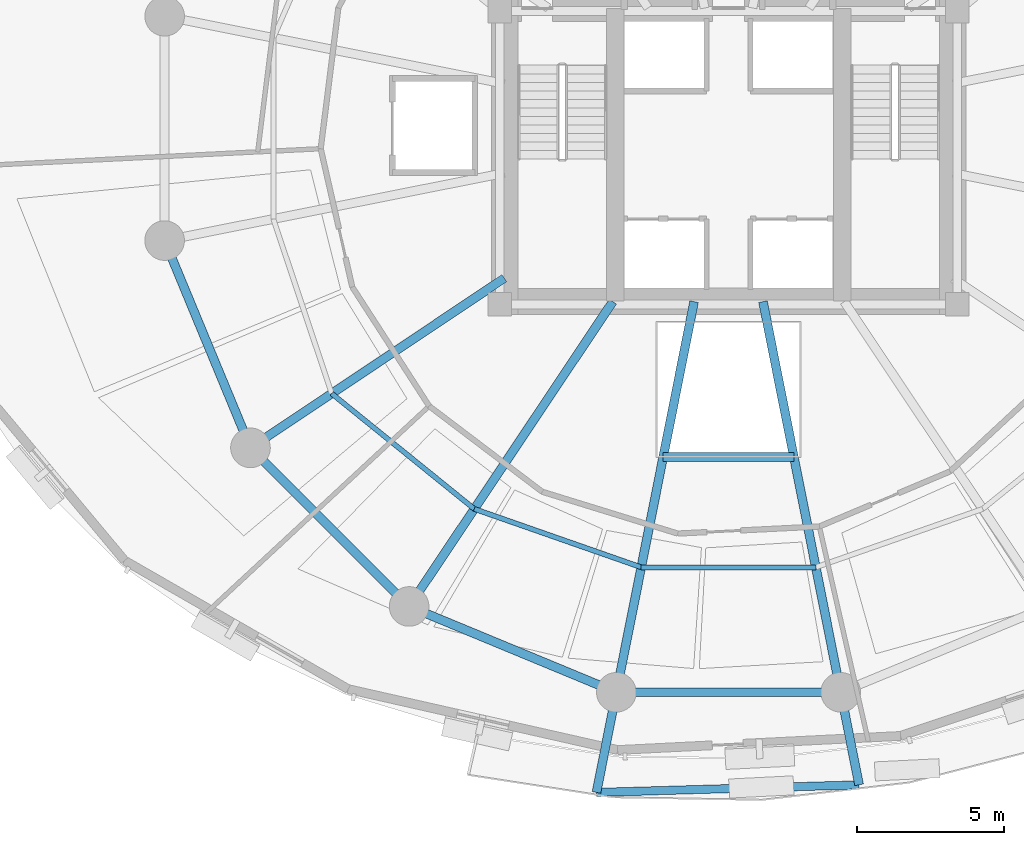
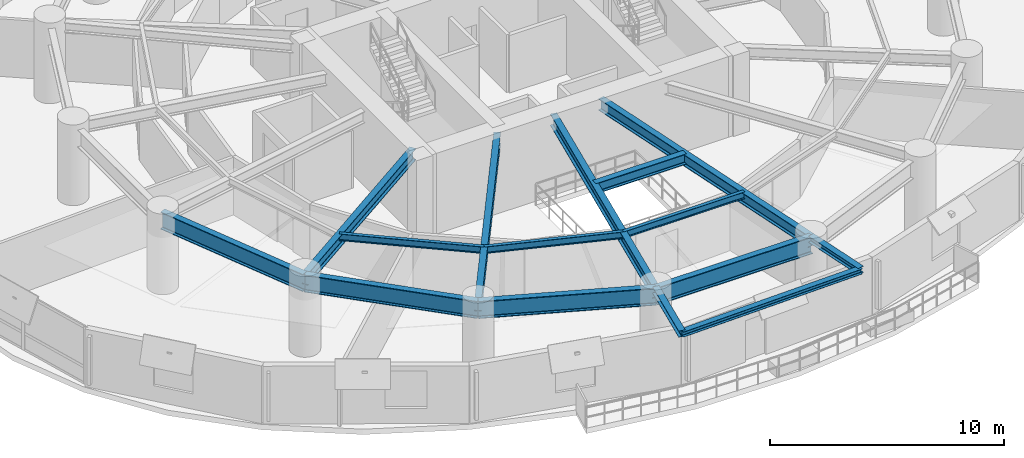
# One storey, part 3 of 16: 15 beams.
"""IFC4 building model written with IfcOpenShell, lengths in metres."""

from ifc_helpers import new_model, si_unit, direction, frame, origin, origin_2d, place, context, subcontext, project, spatial, i_section, extrude, material, material_profile, profile_set, type_object, element, save


model = new_model("IFC4")

# Units and contexts
model_context = context("Model", 3, precision=1e-05, world=origin(), true_north=direction((0.0, 1.0)))
body_context = subcontext(model_context, "Body", "Model", "MODEL_VIEW")
ifc_project = project(units=[si_unit("LENGTHUNIT", "METRE"), si_unit("AREAUNIT", "SQUARE_METRE"), si_unit("VOLUMEUNIT", "CUBIC_METRE"), si_unit("PLANEANGLEUNIT", "RADIAN"), si_unit("MASSUNIT", "GRAM", prefix="KILO"), si_unit("THERMODYNAMICTEMPERATUREUNIT", "KELVIN"), si_unit("POWERUNIT", "WATT")], contexts=[model_context])

# Site, building, storey
site_placement = place(None, origin())
site = spatial("IfcSite", under=ifc_project, at=site_placement, CompositionType="ELEMENT")
building_placement = place(site_placement, origin())
building = spatial("IfcBuilding", under=site, at=building_placement, Name="Ocrelia Relay Tower", CompositionType="ELEMENT")
storey_placement = place(building_placement, frame((0.0, 0.0, 42.60009765625)))
storey = spatial("IfcBuildingStorey", under=building, at=storey_placement, Name="L09", CompositionType="ELEMENT", Elevation=42.60009765625)

# Beams
ifc_material = material(Name="Steel S355", Category="steel")
ifc_material_profile_1 = material_profile(ifc_material, i_section(OverallWidth=0.280029296875, OverallDepth=0.27001953125, WebThickness=0.008056640625, FlangeThickness=0.012939453125, FilletRadius=0.02392578125, at=origin_2d()), Name="HEA 280")
ifc_profile_set_1 = profile_set([ifc_material_profile_1], Name="Steel S355")
beam_type_1 = type_object("IfcBeamType", Name="BM-HEA280", PredefinedType="BEAM", material=ifc_profile_set_1)
beam_1_placement = place(storey_placement, frame((29.497314453125, 3.36328125, 3.784912109375), z_axis=(0.999584964148, 0.028807975436, 0.0), x_axis=(-0.028807975436, 0.999584964148, 0.0)))
element("IfcBeam", 1, at=beam_1_placement, inside=storey, type_object=beam_type_1, Name="L10 Balcony Edge Trimmer Beam B2", PredefinedType="BEAM", context=body_context, shape_type="SweptSolid", body=[
    extrude(i_section(OverallWidth=0.280029296875, OverallDepth=0.27001953125, WebThickness=0.008056640625, FlangeThickness=0.012939453125, FilletRadius=0.02392578125, at=origin_2d()), origin(), (0.0, 0.0, 1.0), 8.957763671875),
])
ifc_material_profile_2 = material_profile(ifc_material, i_section(OverallWidth=0.300048828125, OverallDepth=0.330078125, WebThickness=0.009521484375, FlangeThickness=0.0166015625, FilletRadius=0.027099609375, at=origin_2d()), Name="HEA 340")
ifc_profile_set_2 = profile_set([ifc_material_profile_2], Name="Steel S355")
beam_type_2 = type_object("IfcBeamType", Name="BM-HEA340", PredefinedType="BEAM", material=ifc_profile_set_2)
beam_2_placement = place(storey_placement, frame((30.17626953125, 6.776611328125, 3.7548828125), z_axis=(-0.195090739838, -0.980785197293, 0.0), x_axis=(0.980785197293, -0.195090739838, 0.0)))
element("IfcBeam", 2, at=beam_2_placement, inside=storey, type_object=beam_type_2, Name="L10 Balcony Cantilever Beam B2-1", PredefinedType="BEAM", context=body_context, shape_type="SweptSolid", body=[
    extrude(i_section(OverallWidth=0.300048828125, OverallDepth=0.330078125, WebThickness=0.009521484375, FlangeThickness=0.0166015625, FilletRadius=0.027099609375, at=origin_2d()), origin(), (0.0, 0.0, 1.0), 3.480224609375),
])
beam_3_placement = place(storey_placement, frame((37.82373046875, 6.776611328125, 3.7548828125), z_axis=(0.195109051167, -0.980781554758, 0.0), x_axis=(0.980781554758, 0.195109051167, 0.0)))
element("IfcBeam", 3, at=beam_3_placement, inside=storey, type_object=beam_type_2, Name="L10 Balcony Cantilever Beam B2-2", PredefinedType="BEAM", context=body_context, shape_type="SweptSolid", body=[
    extrude(i_section(OverallWidth=0.300048828125, OverallDepth=0.330078125, WebThickness=0.009521484375, FlangeThickness=0.0166015625, FilletRadius=0.027099609375, at=origin_2d()), origin(), (0.0, 0.0, 1.0), 3.217041015625),
])
ifc_material_profile_3 = material_profile(ifc_material, i_section(OverallWidth=0.300048828125, OverallDepth=0.550048828125, WebThickness=0.014892578125, FlangeThickness=0.029052734375, FilletRadius=0.027099609375, at=origin_2d()), Name="HEB 550")
ifc_profile_set_3 = profile_set([ifc_material_profile_3], Name="Steel S355")
beam_type_3 = type_object("IfcBeamType", Name="BM-HEB550", PredefinedType="BEAM", material=ifc_profile_set_3)
beam_4_placement = place(storey_placement, frame((31.772216796875, 14.800048828125, 3.64501953125), z_axis=(1.0, 0.0, 0.0), x_axis=(0.0, 1.0, 0.0)))
element("IfcBeam", 4, at=beam_4_placement, inside=storey, type_object=beam_type_3, Name="L09 Atrium South Trimmer Beam", PredefinedType="BEAM", context=body_context, shape_type="SweptSolid", body=[
    extrude(i_section(OverallWidth=0.300048828125, OverallDepth=0.550048828125, WebThickness=0.014892578125, FlangeThickness=0.029052734375, FilletRadius=0.027099609375, at=origin_2d()), origin(), (0.0, 0.0, 1.0), 4.45556640625),
])
ifc_material_profile_4 = material_profile(ifc_material, i_section(OverallWidth=0.300048828125, OverallDepth=0.60009765625, WebThickness=0.015380859375, FlangeThickness=0.030029296875, FilletRadius=0.027099609375, at=origin_2d()), Name="HEB 600")
ifc_profile_set_4 = profile_set([ifc_material_profile_4], Name="Steel S355")
beam_type_4 = type_object("IfcBeamType", Name="BM-HEB600", PredefinedType="BEAM", material=ifc_profile_set_4)
beam_5_placement = place(storey_placement, frame((17.703125, 15.11083984375, 3.619873046875), z_axis=(0.83146868639, 0.555571618743, 0.0), x_axis=(-0.555571618743, 0.83146868639, 0.0)))
element("IfcBeam", 5, at=beam_5_placement, inside=storey, type_object=beam_type_4, Name="L09 Radial Floor Girder R10", PredefinedType="BEAM", context=body_context, shape_type="SweptSolid", body=[
    extrude(i_section(OverallWidth=0.300048828125, OverallDepth=0.60009765625, WebThickness=0.015380859375, FlangeThickness=0.030029296875, FilletRadius=0.027099609375, at=origin_2d()), origin(), (0.0, 0.0, 1.0), 10.405517578125),
])
beam_6_placement = place(storey_placement, frame((23.11083984375, 9.703125, 3.619873046875), z_axis=(0.555569912646, 0.831469826369, 0.0), x_axis=(-0.831469826369, 0.555569912646, 0.0)))
element("IfcBeam", 6, at=beam_6_placement, inside=storey, type_object=beam_type_4, Name="L09 Radial Floor Girder R11", PredefinedType="BEAM", context=body_context, shape_type="SweptSolid", body=[
    extrude(i_section(OverallWidth=0.300048828125, OverallDepth=0.60009765625, WebThickness=0.015380859375, FlangeThickness=0.030029296875, FilletRadius=0.027099609375, at=origin_2d()), origin(), (0.0, 0.0, 1.0), 12.498046875),
])
for number, where, z_axis, x_axis, name in (
    (7, (30.17626953125, 6.776611328125, 3.619873046875), (0.195089155229, 0.980785512491, 0.0), (-0.980785512491, 0.195089155229, 0.0), "L09 Radial Floor Girder R12"),
    (8, (37.82373046875, 6.776611328125, 3.619873046875), (-0.195089155229, 0.980785512491, 0.0), (-0.980785512491, -0.195089155229, 0.0), "L09 Radial Floor Girder R13"),
):
    element("IfcBeam", number, at=place(storey_placement, frame(where, z_axis=z_axis, x_axis=x_axis)), inside=storey, type_object=beam_type_4, Name=name, PredefinedType="BEAM", context=body_context, shape_type="SweptSolid", body=[
        extrude(i_section(OverallWidth=0.300048828125, OverallDepth=0.60009765625, WebThickness=0.015380859375, FlangeThickness=0.030029296875, FilletRadius=0.027099609375, at=origin_2d()), origin(), (0.0, 0.0, 1.0), 13.579345703125),
    ])
ifc_material_profile_5 = material_profile(ifc_material, i_section(OverallWidth=0.300048828125, OverallDepth=0.89990234375, WebThickness=0.0185546875, FlangeThickness=0.034912109375, FilletRadius=0.030029296875, at=origin_2d()), Name="HEB 900")
ifc_profile_set_5 = profile_set([ifc_material_profile_5], Name="Steel S355")
beam_type_5 = type_object("IfcBeamType", Name="BM-HEB900", PredefinedType="BEAM", material=ifc_profile_set_5)
beam_7_placement = place(storey_placement, frame((14.776611328125, 22.17626953125, 3.469970703125), z_axis=(0.382674154222, -0.923883375589, 0.0), x_axis=(0.923883375589, 0.382674154222, 0.0)))
element("IfcBeam", 9, at=beam_7_placement, inside=storey, type_object=beam_type_5, Name="L09 Perimeter Spandrel Beam S09", PredefinedType="BEAM", context=body_context, shape_type="SweptSolid", body=[
    extrude(i_section(OverallWidth=0.300048828125, OverallDepth=0.89990234375, WebThickness=0.0185546875, FlangeThickness=0.034912109375, FilletRadius=0.030029296875, at=origin_2d()), origin(), (0.0, 0.0, 1.0), 7.6474609375),
])
beam_8_placement = place(storey_placement, frame((17.703125, 15.11083984375, 3.469970703125), z_axis=(0.707106781187, -0.707106781187, 0.0), x_axis=(0.707106781187, 0.707106781187, 0.0)))
element("IfcBeam", 10, at=beam_8_placement, inside=storey, type_object=beam_type_5, Name="L09 Perimeter Spandrel Beam S10", PredefinedType="BEAM", context=body_context, shape_type="SweptSolid", body=[
    extrude(i_section(OverallWidth=0.300048828125, OverallDepth=0.89990234375, WebThickness=0.0185546875, FlangeThickness=0.034912109375, FilletRadius=0.030029296875, at=origin_2d()), origin(), (0.0, 0.0, 1.0), 7.647705078125),
])
for number, where, z_axis, x_axis, name in (
    (11, (23.11083984375, 9.703125, 3.469970703125), (0.923883375589, -0.382674154222, 0.0), (0.382674154222, 0.923883375589, 0.0), "L09 Perimeter Spandrel Beam S11"),
    (12, (30.17626953125, 6.776611328125, 3.469970703125), (1.0, 0.0, 0.0), (0.0, 1.0, 0.0), "L09 Perimeter Spandrel Beam S12"),
):
    element("IfcBeam", number, at=place(storey_placement, frame(where, z_axis=z_axis, x_axis=x_axis)), inside=storey, type_object=beam_type_5, Name=name, PredefinedType="BEAM", context=body_context, shape_type="SweptSolid", body=[
        extrude(i_section(OverallWidth=0.300048828125, OverallDepth=0.89990234375, WebThickness=0.0185546875, FlangeThickness=0.034912109375, FilletRadius=0.030029296875, at=origin_2d()), origin(), (0.0, 0.0, 1.0), 7.6474609375),
    ])
ifc_material_profile_6 = material_profile(ifc_material, i_section(OverallWidth=0.169921875, OverallDepth=0.360107421875, WebThickness=0.008056640625, FlangeThickness=0.0126953125, FilletRadius=0.01806640625, at=origin_2d()), Name="IPE 360")
ifc_profile_set_6 = profile_set([ifc_material_profile_6], Name="Steel S355")
beam_type_6 = type_object("IfcBeamType", Name="BM-IPE360", PredefinedType="JOIST", material=ifc_profile_set_6)
beam_9_placement = place(storey_placement, frame((20.4716796875, 16.960693359375, 3.739990234375), z_axis=(0.77748215158, -0.628905003935, 0.0), x_axis=(0.628905003935, 0.77748215158, 0.0)))
element("IfcBeam", 13, at=beam_9_placement, inside=storey, type_object=beam_type_6, Name="L09 Secondary Floor Joist J10", PredefinedType="JOIST", context=body_context, shape_type="SweptSolid", body=[
    extrude(i_section(OverallWidth=0.169921875, OverallDepth=0.360107421875, WebThickness=0.008056640625, FlangeThickness=0.0126953125, FilletRadius=0.01806640625, at=origin_2d()), origin(), (0.0, 0.0, 1.0), 6.25244140625),
])
beam_10_placement = place(storey_placement, frame((25.332763671875, 13.028564453125, 3.739990234375), z_axis=(0.943957429675, -0.330067221882, 0.0), x_axis=(0.330067221882, 0.943957429675, 0.0)))
element("IfcBeam", 14, at=beam_10_placement, inside=storey, type_object=beam_type_6, Name="L09 Secondary Floor Joist J11", PredefinedType="JOIST", context=body_context, shape_type="SweptSolid", body=[
    extrude(i_section(OverallWidth=0.169921875, OverallDepth=0.360107421875, WebThickness=0.008056640625, FlangeThickness=0.0126953125, FilletRadius=0.01806640625, at=origin_2d()), origin(), (0.0, 0.0, 1.0), 6.029052734375),
])
beam_11_placement = place(storey_placement, frame((31.02392578125, 11.03857421875, 3.739990234375), z_axis=(1.0, 0.0, 0.0), x_axis=(0.0, 1.0, 0.0)))
element("IfcBeam", 15, at=beam_11_placement, inside=storey, type_object=beam_type_6, Name="L09 Secondary Floor Joist J12", PredefinedType="JOIST", context=body_context, shape_type="SweptSolid", body=[
    extrude(i_section(OverallWidth=0.169921875, OverallDepth=0.360107421875, WebThickness=0.008056640625, FlangeThickness=0.0126953125, FilletRadius=0.01806640625, at=origin_2d()), origin(), (0.0, 0.0, 1.0), 5.9521484375),
])

save(model, "model.ifc")
